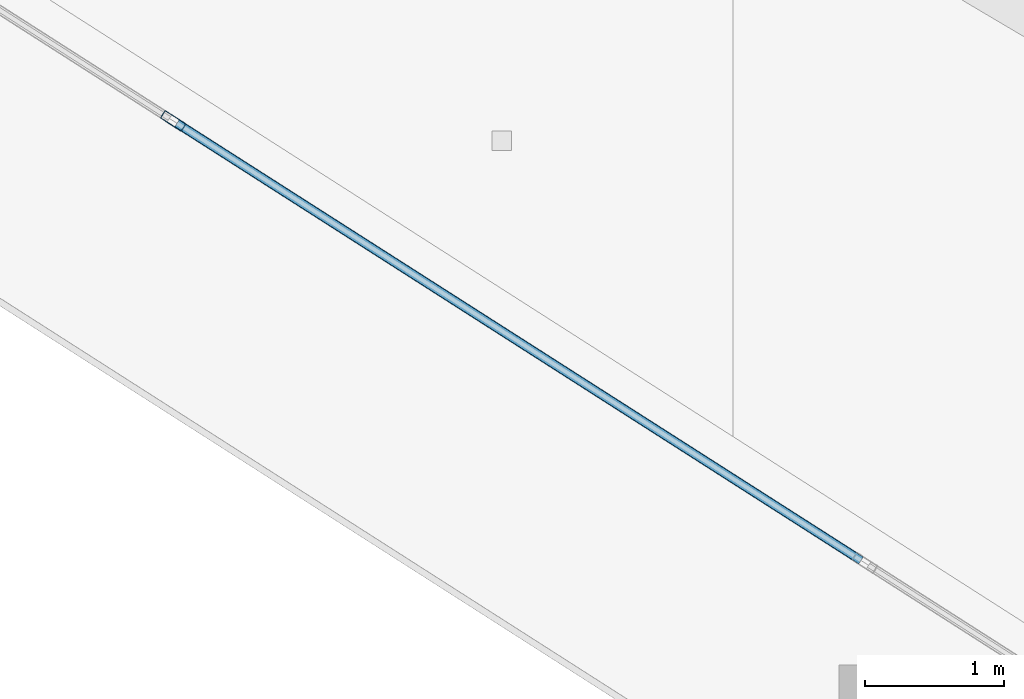
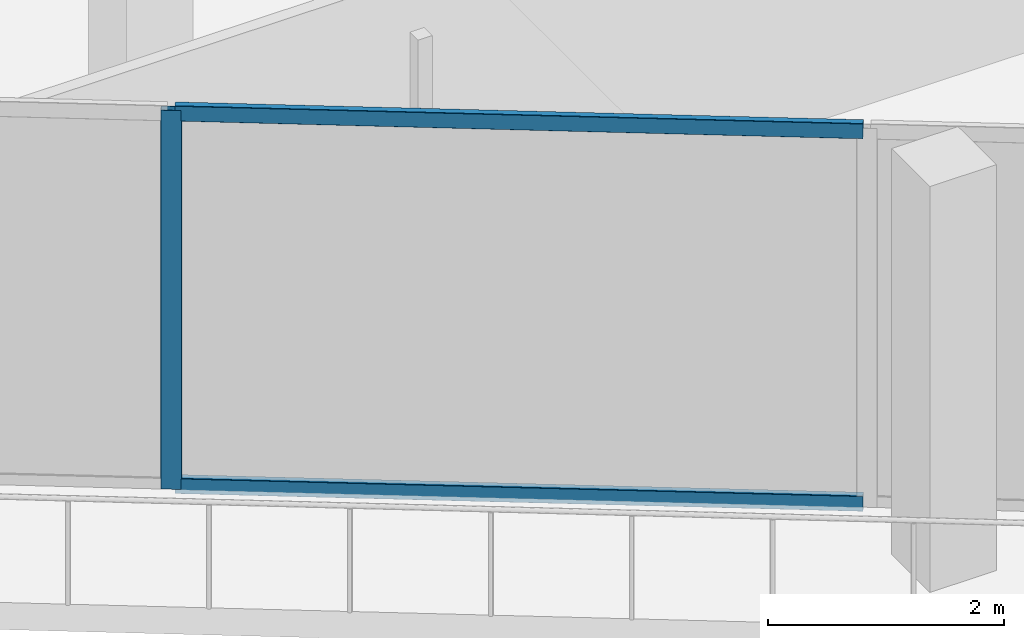
# One storey, part 3 of 44: 3 members, 1 element without a shape of its own.
"""IFC4 building model written with IfcOpenShell, lengths in metres."""

from ifc_helpers import new_model, si_unit, direction, frame, origin, origin_2d, place, context, subcontext, project, spatial, hollow_rectangle, extrude, material, layer, layer_set, material_profile, profile_set, type_object, element, aggregate, save


model = new_model("IFC4")

# Units and contexts
model_context = context("Model", 3, precision=1e-05, world=origin(), true_north=direction((0.0, 1.0)))
body_context = subcontext(model_context, "Body", "Model", "MODEL_VIEW")
ifc_project = project(units=[si_unit("LENGTHUNIT", "METRE"), si_unit("AREAUNIT", "SQUARE_METRE"), si_unit("VOLUMEUNIT", "CUBIC_METRE"), si_unit("PLANEANGLEUNIT", "RADIAN"), si_unit("MASSUNIT", "GRAM", prefix="KILO")], contexts=[model_context])

# Site, building, storey
site_placement = place(None, origin())
site = spatial("IfcSite", under=ifc_project, at=site_placement, CompositionType="ELEMENT")
building_placement = place(site_placement, origin())
building = spatial("IfcBuilding", under=site, at=building_placement, Name="Qorvath Tower", CompositionType="ELEMENT")
storey_placement = place(building_placement, frame((0.0, 0.0, 40.800048828125)))
storey = spatial("IfcBuildingStorey", under=building, at=storey_placement, Name="L08", CompositionType="ELEMENT", Elevation=40.800048828125)

# Curtain wall, members
ifc_material_1 = material(Name="Anodised aluminium and triple low-E glass", Category="aluminium")
ifc_layer = layer(ifc_material_1, 0.179931640625)
ifc_layer_set = layer_set([ifc_layer], Name="CW-SYS-2")
curtain_wall_type = type_object("IfcCurtainWallType", Name="CW-SYS-2", PredefinedType="NOTDEFINED", material=ifc_layer_set)
curtain_wall_placement = place(storey_placement, origin())
curtain_wall = element("IfcCurtainWall", 1, at=curtain_wall_placement, inside=storey, type_object=curtain_wall_type, Name="Curtain Wall CW-2 CW-T-L08-2.1", PredefinedType="NOTDEFINED")
ifc_material_2 = material(Name="Anodised aluminium 6063-T6", Category="aluminium")
ifc_material_profile_1 = material_profile(ifc_material_2, hollow_rectangle(XDim=0.06494140625, YDim=0.179931640625, WallThickness=0.00341796875, InnerFilletRadius=0.00341796875, OuterFilletRadius=0.007080078125, at=origin_2d()), Name="CWM 180x65")
ifc_profile_set_1 = profile_set([ifc_material_profile_1], Name="Anodised aluminium 6063-T6")
member_type_1 = type_object("IfcMemberType", Name="CWM-180", PredefinedType="MULLION", material=ifc_profile_set_1)
member_1_placement = place(storey_placement, frame((-50.65185546875, -10.534912109375, 0.0), z_axis=(0.0, 0.0, 1.0), x_axis=(0.538531853978, 0.842605152044, 0.0)))
member_1 = element("IfcMember", 2, at=member_1_placement, type_object=member_type_1, Name="CW-2 mullion 3", PredefinedType="MULLION", context=body_context, shape_type="SweptSolid", body=[
    extrude(hollow_rectangle(XDim=0.06494140625, YDim=0.179931640625, WallThickness=0.00341796875, InnerFilletRadius=0.00341796875, OuterFilletRadius=0.007080078125, at=origin_2d()), origin(), (0.0, 0.0, 1.0), 3.919921875),
])
ifc_material_3 = material(Name="Anodised aluminium 6063-T6", Category="aluminium")
ifc_material_profile_2 = material_profile(ifc_material_3, hollow_rectangle(XDim=0.06494140625, YDim=0.159912109375, WallThickness=0.00341796875, InnerFilletRadius=0.00341796875, OuterFilletRadius=0.007080078125, at=origin_2d()), Name="CWT 160x65")
ifc_profile_set_2 = profile_set([ifc_material_profile_2], Name="Anodised aluminium 6063-T6")
member_type_2 = type_object("IfcMemberType", Name="CWT-160", PredefinedType="USERDEFINED", material=ifc_profile_set_2)
member_2_placement = place(storey_placement, frame((-50.624267578125, -10.552490234375, 0.032470703125), z_axis=(0.842618260885, -0.538511342891, 0.0), x_axis=(0.538511342891, 0.842618260885, 0.0)))
member_2 = element("IfcMember", 3, at=member_2_placement, type_object=member_type_2, Name="CW-2 transom 3.1", ObjectType="TRANSOM", PredefinedType="USERDEFINED", context=body_context, shape_type="SweptSolid", body=[
    extrude(hollow_rectangle(XDim=0.06494140625, YDim=0.159912109375, WallThickness=0.00341796875, InnerFilletRadius=0.00341796875, OuterFilletRadius=0.007080078125, at=origin_2d()), origin(), (0.0, 0.0, 1.0), 5.8388671875),
])
member_3_placement = place(storey_placement, frame((-50.624267578125, -10.552490234375, 3.887451171875), z_axis=(0.842618260885, -0.538511342891, 0.0), x_axis=(0.538511342891, 0.842618260885, 0.0)))
member_3 = element("IfcMember", 4, at=member_3_placement, type_object=member_type_2, Name="CW-2 transom 3.2", ObjectType="TRANSOM", PredefinedType="USERDEFINED", context=body_context, shape_type="SweptSolid", body=[
    extrude(hollow_rectangle(XDim=0.06494140625, YDim=0.159912109375, WallThickness=0.00341796875, InnerFilletRadius=0.00341796875, OuterFilletRadius=0.007080078125, at=origin_2d()), origin(), (0.0, 0.0, 1.0), 5.8388671875),
])
aggregate(curtain_wall, [member_1, member_2, member_3])

save(model, "model.ifc")
